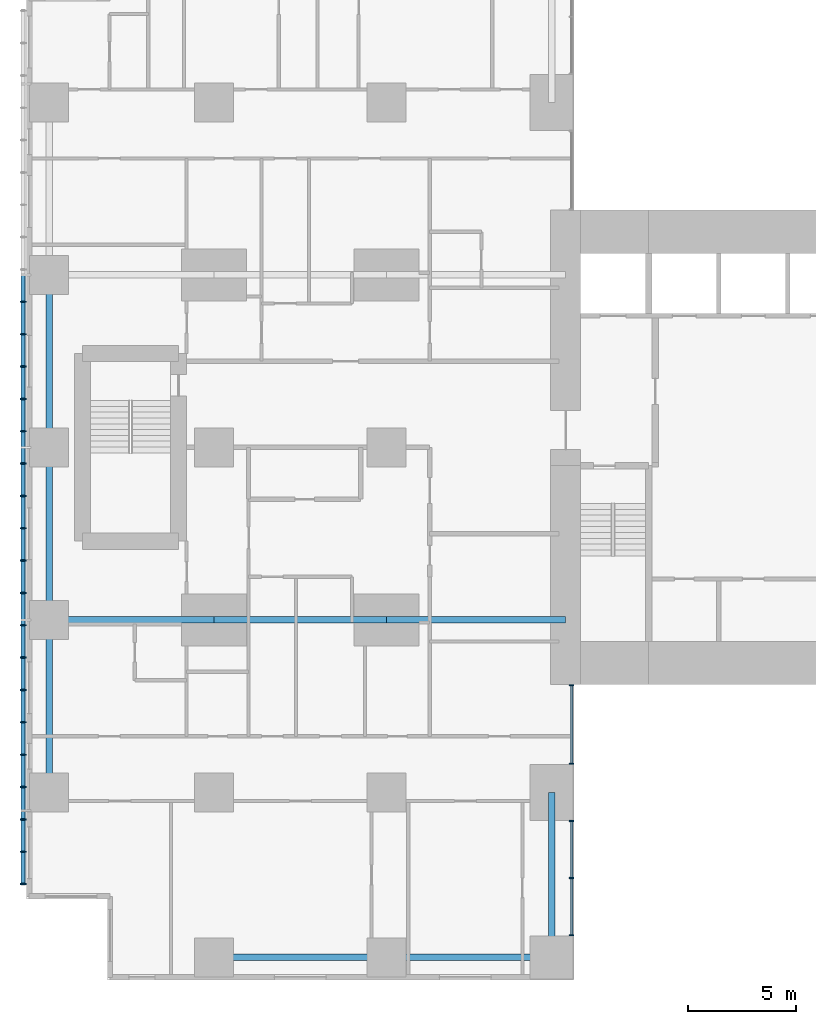
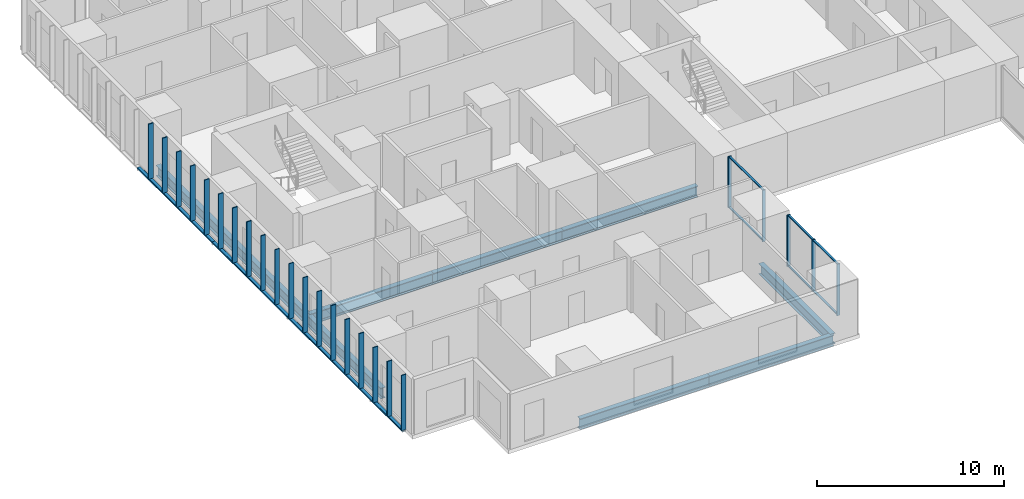
# One storey, part 2 of 20: 33 members, 9 beams, 2 elements without a shape of their own.
"""IFC4 building model written with IfcOpenShell, lengths in metres."""

from ifc_helpers import new_model, si_unit, direction, frame, origin, origin_2d, place, context, subcontext, project, spatial, rectangle, hollow_rectangle, i_section, extrude, material, layer, layer_set, material_profile, profile_set, type_object, element, aggregate, save


model = new_model("IFC4")

# Units and contexts
model_context = context("Model", 3, precision=1e-05, world=origin(), true_north=direction((0.0, 1.0)))
body_context = subcontext(model_context, "Body", "Model", "MODEL_VIEW")
ifc_project = project(units=[si_unit("LENGTHUNIT", "METRE"), si_unit("AREAUNIT", "SQUARE_METRE"), si_unit("VOLUMEUNIT", "CUBIC_METRE"), si_unit("PLANEANGLEUNIT", "RADIAN"), si_unit("MASSUNIT", "GRAM", prefix="KILO")], contexts=[model_context])

# Site, building, storey
site_placement = place(None, origin())
site = spatial("IfcSite", under=ifc_project, at=site_placement, CompositionType="ELEMENT")
building_placement = place(site_placement, origin())
building = spatial("IfcBuilding", under=site, at=building_placement, Name="Cleftline Residences", CompositionType="ELEMENT")
storey_placement = place(building_placement, frame((0.0, 0.0, 193.0)))
storey = spatial("IfcBuildingStorey", under=building, at=storey_placement, Name="L50", CompositionType="ELEMENT", Elevation=193.0)

# Members
ifc_material_1 = material(Name="Steel S355, hot-dip galvanised", Category="steel")
ifc_material_profile_1 = material_profile(ifc_material_1, hollow_rectangle(XDim=0.10009765625, YDim=0.199951171875, WallThickness=0.008056640625, InnerFilletRadius=0.008056640625, OuterFilletRadius=0.011962890625, at=origin_2d()))
ifc_profile_set_1 = profile_set([ifc_material_profile_1], Name="Steel S355, hot-dip galvanised")
member_type_1 = type_object("IfcMemberType", Name="BAGUETTE CARRIER RHS 200X100X8", PredefinedType="USERDEFINED", material=ifc_profile_set_1)
for number, where, z_axis, x_axis, name in (
    (1, (-0.85009765625, 32.0, -0.050048828125), (0.0, -1.0, 0.0), (0.0, 0.0, 1.0), "Baguette carrier"),
    (2, (-0.85009765625, 24.0, -0.050048828125), (0.0, -1.0, 0.0), (0.0, 0.0, 1.0), "Baguette carrier"),
):
    element("IfcMember", number, at=place(storey_placement, frame(where, z_axis=z_axis, x_axis=x_axis)), inside=storey, type_object=member_type_1, Name=name, ObjectType="BAGUETTE CARRIER", PredefinedType="USERDEFINED", context=body_context, shape_type="SweptSolid", body=[
        extrude(hollow_rectangle(XDim=0.10009765625, YDim=0.199951171875, WallThickness=0.008056640625, InnerFilletRadius=0.008056640625, OuterFilletRadius=0.011962890625, at=origin_2d()), origin(), (0.0, 0.0, 1.0), 8.0),
    ])
member_1_placement = place(storey_placement, frame((-0.85009765625, 16.0, -0.050048828125), z_axis=(0.0, -1.0, 0.0), x_axis=(0.0, 0.0, 1.0)))
element("IfcMember", 3, at=member_1_placement, inside=storey, type_object=member_type_1, Name="Baguette carrier", ObjectType="BAGUETTE CARRIER", PredefinedType="USERDEFINED", context=body_context, shape_type="SweptSolid", body=[
    extrude(hollow_rectangle(XDim=0.10009765625, YDim=0.199951171875, WallThickness=0.008056640625, InnerFilletRadius=0.008056640625, OuterFilletRadius=0.011962890625, at=origin_2d()), origin(), (0.0, 0.0, 1.0), 12.300048828125),
])

# Beams
ifc_material_2 = material(Name="Steel S355", Category="steel")
ifc_material_profile_2 = material_profile(ifc_material_2, i_section(OverallWidth=0.300048828125, OverallDepth=0.699951171875, WebThickness=0.01708984375, FlangeThickness=0.031982421875, FilletRadius=0.027099609375, at=origin_2d()))
ifc_profile_set_2 = profile_set([ifc_material_profile_2], Name="Steel S355")
beam_type_1 = type_object("IfcBeamType", Name="BEAM HEB 700", PredefinedType="BEAM", material=ifc_profile_set_2)
for number, where, z_axis, x_axis, name in (
    (4, (0.35009765625, 8.0, -0.60009765625), (0.0, 1.0, 0.0), (-1.0, 0.0, 0.0), "Edge beam"),
    (5, (0.35009765625, 16.0, -0.60009765625), (0.0, 1.0, 0.0), (-1.0, 0.0, 0.0), "Edge beam"),
    (6, (0.35009765625, 24.0, -0.60009765625), (0.0, 1.0, 0.0), (-1.0, 0.0, 0.0), "Edge beam"),
    (7, (8.0, 0.35009765625, -0.60009765625), (1.0, 0.0, 0.0), (0.0, 1.0, 0.0), "Edge beam"),
):
    element("IfcBeam", number, at=place(storey_placement, frame(where, z_axis=z_axis, x_axis=x_axis)), inside=storey, type_object=beam_type_1, Name=name, PredefinedType="BEAM", context=body_context, shape_type="SweptSolid", body=[
        extrude(i_section(OverallWidth=0.300048828125, OverallDepth=0.699951171875, WebThickness=0.01708984375, FlangeThickness=0.031982421875, FilletRadius=0.027099609375, at=origin_2d()), origin(), (0.0, 0.0, 1.0), 8.0),
    ])
for number, where, z_axis, x_axis, name in (
    (8, (16.0, 0.35009765625, -0.60009765625), (1.0, 0.0, 0.0), (0.0, 1.0, 0.0), "Edge beam"),
    (9, (23.64990234375, 0.35009765625, -0.60009765625), (0.0, 1.0, 0.0), (-1.0, 0.0, 0.0), "Edge beam"),
):
    element("IfcBeam", number, at=place(storey_placement, frame(where, z_axis=z_axis, x_axis=x_axis)), inside=storey, type_object=beam_type_1, Name=name, PredefinedType="BEAM", context=body_context, shape_type="SweptSolid", body=[
        extrude(i_section(OverallWidth=0.300048828125, OverallDepth=0.699951171875, WebThickness=0.01708984375, FlangeThickness=0.031982421875, FilletRadius=0.027099609375, at=origin_2d()), origin(), (0.0, 0.0, 1.0), 7.64990234375),
    ])
ifc_material_3 = material(Name="Steel S355", Category="steel")
ifc_material_profile_3 = material_profile(ifc_material_3, i_section(OverallWidth=0.303955078125, OverallDepth=0.716064453125, WebThickness=0.02099609375, FlangeThickness=0.0400390625, FilletRadius=0.027099609375, at=origin_2d()))
ifc_profile_set_3 = profile_set([ifc_material_profile_3], Name="Steel S355")
beam_type_2 = type_object("IfcBeamType", Name="BEAM HEM 700", PredefinedType="BEAM", material=ifc_profile_set_3)
beam_1_placement = place(storey_placement, frame((0.35009765625, 16.0, -0.60791015625), z_axis=(1.0, 0.0, 0.0), x_axis=(0.0, 1.0, 0.0)))
element("IfcBeam", 10, at=beam_1_placement, inside=storey, type_object=beam_type_2, Name="Band beam", PredefinedType="BEAM", context=body_context, shape_type="SweptSolid", body=[
    extrude(i_section(OverallWidth=0.303955078125, OverallDepth=0.716064453125, WebThickness=0.02099609375, FlangeThickness=0.0400390625, FilletRadius=0.027099609375, at=origin_2d()), origin(), (0.0, 0.0, 1.0), 7.64990234375),
])
beam_2_placement = place(storey_placement, frame((8.0, 16.0, -0.60791015625), z_axis=(1.0, 0.0, 0.0), x_axis=(0.0, 1.0, 0.0)))
element("IfcBeam", 11, at=beam_2_placement, inside=storey, type_object=beam_type_2, Name="Band beam", PredefinedType="BEAM", context=body_context, shape_type="SweptSolid", body=[
    extrude(i_section(OverallWidth=0.303955078125, OverallDepth=0.716064453125, WebThickness=0.02099609375, FlangeThickness=0.0400390625, FilletRadius=0.027099609375, at=origin_2d()), origin(), (0.0, 0.0, 1.0), 8.0),
])
beam_3_placement = place(storey_placement, frame((16.0, 16.0, -0.60791015625), z_axis=(1.0, 0.0, 0.0), x_axis=(0.0, 1.0, 0.0)))
element("IfcBeam", 12, at=beam_3_placement, inside=storey, type_object=beam_type_2, Name="Band beam", PredefinedType="BEAM", context=body_context, shape_type="SweptSolid", body=[
    extrude(i_section(OverallWidth=0.303955078125, OverallDepth=0.716064453125, WebThickness=0.02099609375, FlangeThickness=0.0400390625, FilletRadius=0.027099609375, at=origin_2d()), origin(), (0.0, 0.0, 1.0), 8.300048828125),
])

# Curtain wall, members
ifc_material_4 = material(Name="Aluminium framed curtain wall", Category="aluminium")
ifc_layer = layer(ifc_material_4, 0.199951171875)
ifc_layer_set = layer_set([ifc_layer], Name="CW1 CLEFT GLAZING")
curtain_wall_type = type_object("IfcCurtainWallType", Name="CW1 CLEFT GLAZING", PredefinedType="NOTDEFINED", material=ifc_layer_set)
curtain_wall_1_placement = place(storey_placement, origin())
curtain_wall_1 = element("IfcCurtainWall", 13, at=curtain_wall_1_placement, inside=storey, type_object=curtain_wall_type, Name="Curtain wall CW1", PredefinedType="NOTDEFINED")
ifc_material_5 = material(Name="Aluminium mullion", Category="aluminium")
ifc_material_profile_4 = material_profile(ifc_material_5, rectangle(XDim=0.199951171875, YDim=0.06005859375, at=origin_2d()))
ifc_profile_set_4 = profile_set([ifc_material_profile_4], Name="Aluminium mullion")
member_type_2 = type_object("IfcMemberType", Name="CW1 MULLION", PredefinedType="MULLION", material=ifc_profile_set_4)
member_2_placement = place(storey_placement, frame((24.574951171875, 1.3798828125, 0.0), z_axis=(0.0, 0.0, 1.0), x_axis=(-1.0, 0.0, 0.0)))
member_2 = element("IfcMember", 14, at=member_2_placement, type_object=member_type_2, Name="CW1 mullion 1", PredefinedType="MULLION", context=body_context, shape_type="SweptSolid", body=[
    extrude(rectangle(XDim=0.199951171875, YDim=0.06005859375, at=origin_2d()), origin(), (0.0, 0.0, 1.0), 3.35009765625),
])
member_3_placement = place(storey_placement, frame((24.574951171875, 4.02490234375, 0.0), z_axis=(0.0, 0.0, 1.0), x_axis=(-1.0, 0.0, 0.0)))
member_3 = element("IfcMember", 15, at=member_3_placement, type_object=member_type_2, Name="CW1 mullion 2", PredefinedType="MULLION", context=body_context, shape_type="SweptSolid", body=[
    extrude(rectangle(XDim=0.199951171875, YDim=0.06005859375, at=origin_2d()), origin(), (0.0, 0.0, 1.0), 3.35009765625),
])
member_4_placement = place(storey_placement, frame((24.574951171875, 6.669921875, 0.0), z_axis=(0.0, 0.0, 1.0), x_axis=(-1.0, 0.0, 0.0)))
member_4 = element("IfcMember", 16, at=member_4_placement, type_object=member_type_2, Name="CW1 mullion 3", PredefinedType="MULLION", context=body_context, shape_type="SweptSolid", body=[
    extrude(rectangle(XDim=0.199951171875, YDim=0.06005859375, at=origin_2d()), origin(), (0.0, 0.0, 1.0), 3.35009765625),
])

curtain_wall_2_placement = place(storey_placement, origin())
curtain_wall_2 = element("IfcCurtainWall", 17, at=curtain_wall_2_placement, inside=storey, type_object=curtain_wall_type, Name="Curtain wall CW1", PredefinedType="NOTDEFINED")
member_5_placement = place(storey_placement, frame((24.574951171875, 9.330078125, 0.0), z_axis=(0.0, 0.0, 1.0), x_axis=(-1.0, 0.0, 0.0)))
member_5 = element("IfcMember", 18, at=member_5_placement, type_object=member_type_2, Name="CW1 mullion 1", PredefinedType="MULLION", context=body_context, shape_type="SweptSolid", body=[
    extrude(rectangle(XDim=0.199951171875, YDim=0.06005859375, at=origin_2d()), origin(), (0.0, 0.0, 1.0), 3.35009765625),
])
member_6_placement = place(storey_placement, frame((24.574951171875, 12.969970703125, 0.0), z_axis=(0.0, 0.0, 1.0), x_axis=(-1.0, 0.0, 0.0)))
member_6 = element("IfcMember", 19, at=member_6_placement, type_object=member_type_2, Name="CW1 mullion 2", PredefinedType="MULLION", context=body_context, shape_type="SweptSolid", body=[
    extrude(rectangle(XDim=0.199951171875, YDim=0.06005859375, at=origin_2d()), origin(), (0.0, 0.0, 1.0), 3.35009765625),
])

# Member
ifc_material_6 = material(Name="Aluminium transom", Category="aluminium")
ifc_material_profile_5 = material_profile(ifc_material_6, rectangle(XDim=0.1201171875, YDim=0.06005859375, at=origin_2d()))
ifc_profile_set_5 = profile_set([ifc_material_profile_5], Name="Aluminium transom")
member_type_3 = type_object("IfcMemberType", Name="CW1 TRANSOM", PredefinedType="USERDEFINED", material=ifc_profile_set_5)
member_7_placement = place(storey_placement, frame((24.574951171875, 1.409912109375, 0.030029296875), z_axis=(0.0, 1.0, 0.0), x_axis=(-1.0, 0.0, 0.0)))
member_7 = element("IfcMember", 20, at=member_7_placement, type_object=member_type_3, Name="CW1 transom 1.1", ObjectType="TRANSOM", PredefinedType="USERDEFINED", context=body_context, shape_type="SweptSolid", body=[
    extrude(rectangle(XDim=0.1201171875, YDim=0.06005859375, at=origin_2d()), origin(), (0.0, 0.0, 1.0), 2.585205078125),
])

member_8_placement = place(storey_placement, frame((24.574951171875, 1.409912109375, 3.320068359375), z_axis=(0.0, 1.0, 0.0), x_axis=(-1.0, 0.0, 0.0)))
member_8 = element("IfcMember", 21, at=member_8_placement, type_object=member_type_3, Name="CW1 transom 1.2", ObjectType="TRANSOM", PredefinedType="USERDEFINED", context=body_context, shape_type="SweptSolid", body=[
    extrude(rectangle(XDim=0.1201171875, YDim=0.06005859375, at=origin_2d()), origin(), (0.0, 0.0, 1.0), 2.585205078125),
])

member_9_placement = place(storey_placement, frame((24.574951171875, 4.054931640625, 0.030029296875), z_axis=(0.0, 1.0, 0.0), x_axis=(-1.0, 0.0, 0.0)))
member_9 = element("IfcMember", 22, at=member_9_placement, type_object=member_type_3, Name="CW1 transom 2.1", ObjectType="TRANSOM", PredefinedType="USERDEFINED", context=body_context, shape_type="SweptSolid", body=[
    extrude(rectangle(XDim=0.1201171875, YDim=0.06005859375, at=origin_2d()), origin(), (0.0, 0.0, 1.0), 2.5849609375),
])

member_10_placement = place(storey_placement, frame((24.574951171875, 4.054931640625, 3.320068359375), z_axis=(0.0, 1.0, 0.0), x_axis=(-1.0, 0.0, 0.0)))
member_10 = element("IfcMember", 23, at=member_10_placement, type_object=member_type_3, Name="CW1 transom 2.2", ObjectType="TRANSOM", PredefinedType="USERDEFINED", context=body_context, shape_type="SweptSolid", body=[
    extrude(rectangle(XDim=0.1201171875, YDim=0.06005859375, at=origin_2d()), origin(), (0.0, 0.0, 1.0), 2.5849609375),
])

aggregate(curtain_wall_1, [member_2, member_3, member_4, member_7, member_8, member_9, member_10])

member_11_placement = place(storey_placement, frame((24.574951171875, 9.360107421875, 0.030029296875), z_axis=(0.0, 1.0, 0.0), x_axis=(-1.0, 0.0, 0.0)))
member_11 = element("IfcMember", 24, at=member_11_placement, type_object=member_type_3, Name="CW1 transom 1.1", ObjectType="TRANSOM", PredefinedType="USERDEFINED", context=body_context, shape_type="SweptSolid", body=[
    extrude(rectangle(XDim=0.1201171875, YDim=0.06005859375, at=origin_2d()), origin(), (0.0, 0.0, 1.0), 3.579833984375),
])

member_12_placement = place(storey_placement, frame((24.574951171875, 9.360107421875, 3.320068359375), z_axis=(0.0, 1.0, 0.0), x_axis=(-1.0, 0.0, 0.0)))
member_12 = element("IfcMember", 25, at=member_12_placement, type_object=member_type_3, Name="CW1 transom 1.2", ObjectType="TRANSOM", PredefinedType="USERDEFINED", context=body_context, shape_type="SweptSolid", body=[
    extrude(rectangle(XDim=0.1201171875, YDim=0.06005859375, at=origin_2d()), origin(), (0.0, 0.0, 1.0), 3.579833984375),
])

aggregate(curtain_wall_2, [member_5, member_6, member_11, member_12])

# Members
ifc_material_7 = material(Name="Extruded terracotta", Category="masonry")
ifc_material_profile_6 = material_profile(ifc_material_7, rectangle(XDim=0.06005859375, YDim=0.300048828125, at=origin_2d()))
ifc_profile_set_6 = profile_set([ifc_material_profile_6], Name="Extruded terracotta")
member_type_4 = type_object("IfcMemberType", Name="TERRACOTTA BAGUETTE 60X300", PredefinedType="USERDEFINED", material=ifc_profile_set_6)
for number, where, z_axis, x_axis, name in (
    (26, (-0.85009765625, 30.75, 0.0), (0.0, 0.0, 1.0), (0.0, 1.0, 0.0), "Terracotta baguette"),
    (27, (-0.85009765625, 29.25, 0.0), (0.0, 0.0, 1.0), (0.0, 1.0, 0.0), "Terracotta baguette"),
    (28, (-0.85009765625, 27.75, 0.0), (0.0, 0.0, 1.0), (0.0, 1.0, 0.0), "Terracotta baguette"),
    (29, (-0.85009765625, 26.25, 0.0), (0.0, 0.0, 1.0), (0.0, 1.0, 0.0), "Terracotta baguette"),
    (30, (-0.85009765625, 24.75, 0.0), (0.0, 0.0, 1.0), (0.0, 1.0, 0.0), "Terracotta baguette"),
    (31, (-0.85009765625, 23.25, 0.0), (0.0, 0.0, 1.0), (0.0, 1.0, 0.0), "Terracotta baguette"),
    (32, (-0.85009765625, 21.75, 0.0), (0.0, 0.0, 1.0), (0.0, 1.0, 0.0), "Terracotta baguette"),
    (33, (-0.85009765625, 20.25, 0.0), (0.0, 0.0, 1.0), (0.0, 1.0, 0.0), "Terracotta baguette"),
    (34, (-0.85009765625, 18.75, 0.0), (0.0, 0.0, 1.0), (0.0, 1.0, 0.0), "Terracotta baguette"),
    (35, (-0.85009765625, 17.25, 0.0), (0.0, 0.0, 1.0), (0.0, 1.0, 0.0), "Terracotta baguette"),
    (36, (-0.85009765625, 15.75, 0.0), (0.0, 0.0, 1.0), (0.0, 1.0, 0.0), "Terracotta baguette"),
    (37, (-0.85009765625, 14.25, 0.0), (0.0, 0.0, 1.0), (0.0, 1.0, 0.0), "Terracotta baguette"),
    (38, (-0.85009765625, 12.75, 0.0), (0.0, 0.0, 1.0), (0.0, 1.0, 0.0), "Terracotta baguette"),
    (39, (-0.85009765625, 11.25, 0.0), (0.0, 0.0, 1.0), (0.0, 1.0, 0.0), "Terracotta baguette"),
    (40, (-0.85009765625, 9.75, 0.0), (0.0, 0.0, 1.0), (0.0, 1.0, 0.0), "Terracotta baguette"),
    (41, (-0.85009765625, 8.25, 0.0), (0.0, 0.0, 1.0), (0.0, 1.0, 0.0), "Terracotta baguette"),
    (42, (-0.85009765625, 6.75, 0.0), (0.0, 0.0, 1.0), (0.0, 1.0, 0.0), "Terracotta baguette"),
    (43, (-0.85009765625, 5.25, 0.0), (0.0, 0.0, 1.0), (0.0, 1.0, 0.0), "Terracotta baguette"),
    (44, (-0.85009765625, 3.75, 0.0), (0.0, 0.0, 1.0), (0.0, 1.0, 0.0), "Terracotta baguette"),
):
    element("IfcMember", number, at=place(storey_placement, frame(where, z_axis=z_axis, x_axis=x_axis)), inside=storey, type_object=member_type_4, Name=name, ObjectType="BAGUETTE", PredefinedType="USERDEFINED", context=body_context, shape_type="SweptSolid", body=[
        extrude(rectangle(XDim=0.06005859375, YDim=0.300048828125, at=origin_2d()), origin(), (0.0, 0.0, 1.0), 3.60009765625),
    ])

save(model, "model.ifc")
